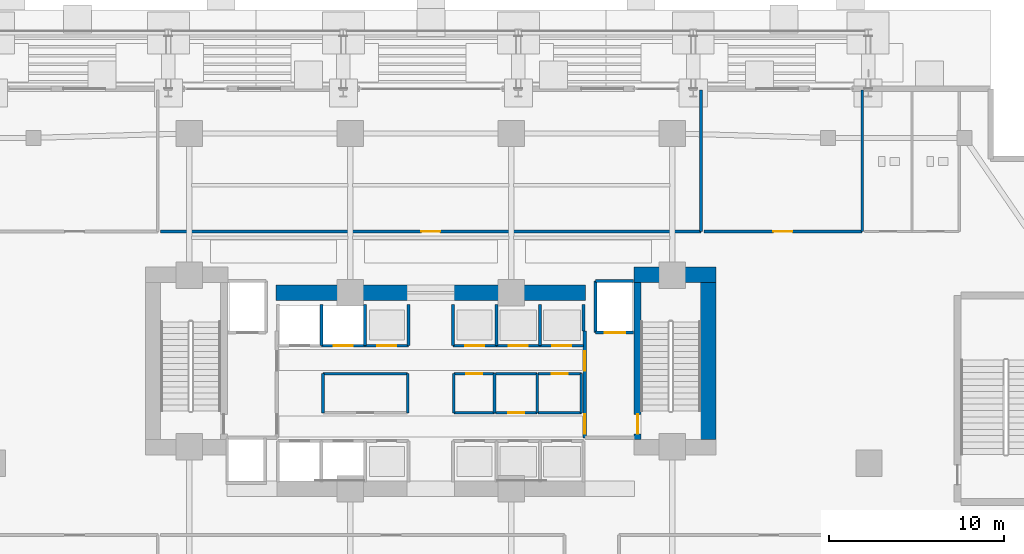
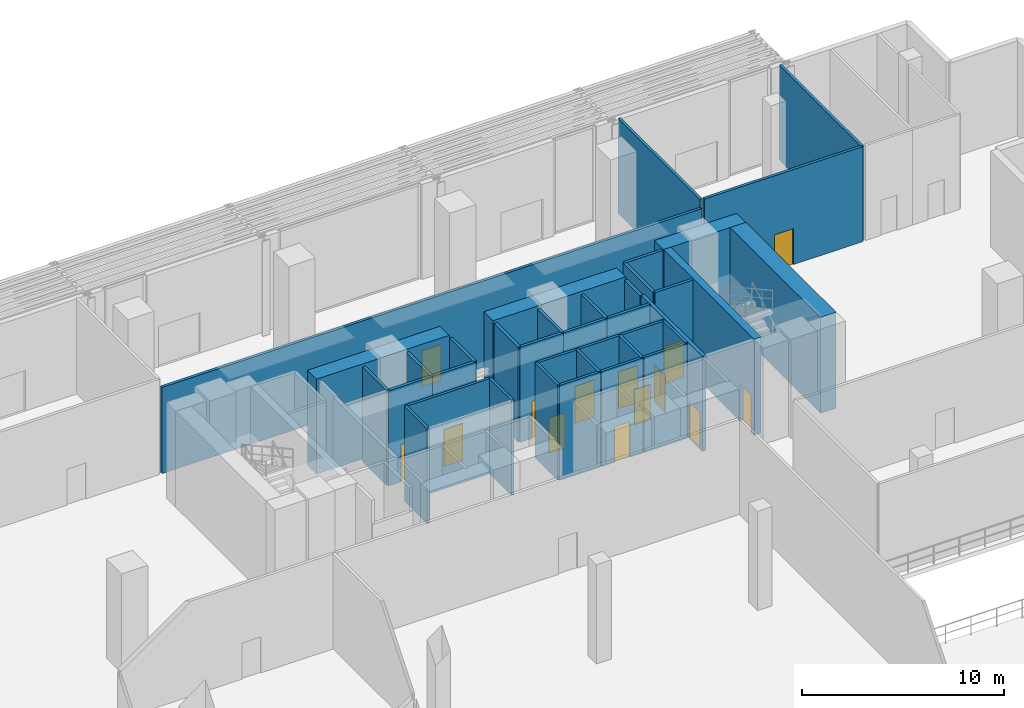
# One storey, part 30 of 39: 38 walls, 14 doors, 14 openings.
"""IFC4 building model written with IfcOpenShell, lengths in metres."""

from ifc_helpers import new_model, si_unit, direction, frame, frame_2d, origin, place, context, subcontext, project, spatial, rectangle, extrude, material, layer, layer_set, type_object, element, fill, save


model = new_model("IFC4")

# Units and contexts
model_context = context("Model", 3, precision=1e-05, world=origin(), true_north=direction((0.0, 1.0)))
body_context = subcontext(model_context, "Body", "Model", "MODEL_VIEW")
ifc_project = project(units=[si_unit("LENGTHUNIT", "METRE"), si_unit("AREAUNIT", "SQUARE_METRE"), si_unit("VOLUMEUNIT", "CUBIC_METRE"), si_unit("PLANEANGLEUNIT", "RADIAN"), si_unit("MASSUNIT", "GRAM", prefix="KILO")], contexts=[model_context])

# Site, building, storey
site_placement = place(None, origin())
site = spatial("IfcSite", under=ifc_project, at=site_placement, CompositionType="ELEMENT")
building_placement = place(site_placement, origin())
building = spatial("IfcBuilding", under=site, at=building_placement, Name="Zuhayl Quay Hotel", CompositionType="ELEMENT")
storey_placement = place(building_placement, origin())
storey = spatial("IfcBuildingStorey", under=building, at=storey_placement, Name="L00", CompositionType="ELEMENT", Elevation=0.0)

# Walls
ifc_material_1 = material(Name="Concrete C70/85", Category="concrete")
ifc_layer_1 = layer(ifc_material_1, 0.89990234375, Name="Concrete C70/85", Category="concrete")
ifc_layer_set_1 = layer_set([ifc_layer_1], Name="Concrete C70/85")
wall_type_1 = type_object("IfcWallType", Name="WL_CORE_900", PredefinedType="SHEAR", material=ifc_layer_set_1)
wall_1_placement = place(storey_placement, frame((11.60009765625, 14.3798828125, 0.0), z_axis=(0.0, 0.0, 1.0), x_axis=(1.0, 0.0, 0.0)))
element("IfcWall", 1, at=wall_1_placement, inside=storey, type_object=wall_type_1, Name="L00 Core Shear Wall CW_NE", PredefinedType="SHEAR", context=body_context, shape_type="SweptSolid", body=[
    extrude(rectangle(XDim=4.7099609375, YDim=0.89990234375, at=frame_2d((2.35498046875, 0.0))), origin(), (0.0, 0.0, 1.0), 5.81005859375),
])
wall_2_placement = place(storey_placement, frame((15.860107421875, 4.969970703125, 0.0), z_axis=(0.0, 0.0, 1.0), x_axis=(0.0, 1.0, 0.0)))
element("IfcWall", 2, at=wall_2_placement, inside=storey, type_object=wall_type_1, Name="L00 Core Shear Wall CW_E", PredefinedType="SHEAR", context=body_context, shape_type="SweptSolid", body=[
    extrude(rectangle(XDim=8.9599609375, YDim=0.89990234375, at=frame_2d((4.47998046875, 0.0))), origin(), (0.0, 0.0, 1.0), 5.81005859375),
])
for number, where, z_axis, x_axis, name in (
    (3, (-8.85009765625, 13.35009765625, 0.0), (0.0, 0.0, 1.0), (1.0, 0.0, 0.0), "L00 Core Shear Wall CW_NC_W"),
    (4, (1.25, 13.35009765625, 0.0), (0.0, 0.0, 1.0), (1.0, 0.0, 0.0), "L00 Core Shear Wall CW_NC_E"),
):
    element("IfcWall", number, at=place(storey_placement, frame(where, z_axis=z_axis, x_axis=x_axis)), inside=storey, type_object=wall_type_1, Name=name, PredefinedType="SHEAR", context=body_context, shape_type="SweptSolid", body=[
        extrude(rectangle(XDim=7.60009765625, YDim=0.89990234375, at=frame_2d((3.800048828125, 0.0))), origin(), (0.0, 0.0, 1.0), 5.75),
    ])

# Wall, opening, door
ifc_material_2 = material(Name="Acoustic Gypsum Partition STC-58")
ifc_layer_2 = layer(ifc_material_2, 0.14990234375, Name="Acoustic Gypsum Partition STC-58")
ifc_layer_set_2 = layer_set([ifc_layer_2], Name="Acoustic Gypsum Partition STC-58")
wall_type_2 = type_object("IfcWallType", Name="WL_PART_150", PredefinedType="PARTITIONING", material=ifc_layer_set_2)
wall_3_placement = place(storey_placement, frame((1.320068359375, 8.719970703125, 0.0), z_axis=(0.0, 0.0, 1.0), x_axis=(1.0, 0.0, 0.0)))
wall_3 = element("IfcWall", 5, at=wall_3_placement, inside=storey, type_object=wall_type_2, Name="L00 Partition IW_L00_CORE_E1_N", PredefinedType="PARTITIONING", context=body_context, shape_type="SweptSolid", body=[
    extrude(rectangle(XDim=2.31982421875, YDim=0.14990234375, at=frame_2d((1.159912109375, 0.0))), origin(), (0.0, 0.0, 1.0), 5.75),
])
opening_1_placement = place(wall_3_placement, frame((0.7099609375, 0.0, 0.0)))
opening_1 = element("IfcOpeningElement", 6, at=opening_1_placement, cuts=wall_3, Name="Opening D06", PredefinedType="OPENING", context=body_context, shape_type="SweptSolid", body=[
    extrude(rectangle(XDim=0.89990234375, YDim=2.14990234375, at=frame_2d((0.449951171875, 1.074951171875))), frame((0.0, 0.0849609375, 0.0), z_axis=(0.0, -1.0, 0.0), x_axis=(1.0, 0.0, 0.0)), (0.0, 0.0, 1.0), 0.169921875),
])
ifc_material_3 = material(Name="Steel ASTM A992 Grade 50", Category="steel")
door_type_1 = type_object("IfcDoorType", Name="DR_INT_900", OperationType="NOTDEFINED", PredefinedType="DOOR", material=ifc_material_3)
door_1_placement = place(opening_1_placement, origin())
door_1 = element("IfcDoor", 7, at=door_1_placement, inside=storey, type_object=door_type_1, Name="L00 Floor Electrical Closet Door", OperationType="SINGLE_SWING_LEFT", OverallHeight=2.14990234375, OverallWidth=0.89990234375, PredefinedType="DOOR", context=body_context, shape_type="SweptSolid", body=[
    extrude(rectangle(XDim=0.89990234375, YDim=2.14990234375, at=frame_2d((0.449951171875, 1.074951171875))), frame((0.0, 0.02490234375, 0.0), z_axis=(0.0, -1.0, 0.0), x_axis=(1.0, 0.0, 0.0)), (0.0, 0.0, 1.0), 0.050048828125),
])
fill(opening_1, door_1)

wall_4_placement = place(storey_placement, frame((3.699951171875, 6.47998046875, 0.0), z_axis=(0.0, 0.0, 1.0), x_axis=(1.0, 0.0, 0.0)))
wall_4 = element("IfcWall", 8, at=wall_4_placement, inside=storey, type_object=wall_type_2, Name="L00 Partition IW_L00_CORE_E2_S", PredefinedType="PARTITIONING", context=body_context, shape_type="SweptSolid", body=[
    extrude(rectangle(XDim=2.380126953125, YDim=0.14990234375, at=frame_2d((1.18994140625, 0.0))), origin(), (0.0, 0.0, 1.0), 5.75),
])
opening_2_placement = place(wall_4_placement, frame((0.739990234375, 0.0, 0.0)))
opening_2 = element("IfcOpeningElement", 9, at=opening_2_placement, cuts=wall_4, Name="Opening D06", PredefinedType="OPENING", context=body_context, shape_type="SweptSolid", body=[
    extrude(rectangle(XDim=0.89990234375, YDim=2.14990234375, at=frame_2d((0.449951171875, 1.074951171875))), frame((0.0, 0.0849609375, 0.0), z_axis=(0.0, -1.0, 0.0), x_axis=(1.0, 0.0, 0.0)), (0.0, 0.0, 1.0), 0.169921875),
])
door_2_placement = place(opening_2_placement, origin())
door_2 = element("IfcDoor", 10, at=door_2_placement, inside=storey, type_object=door_type_1, Name="L00 Data Closet Door", OperationType="SINGLE_SWING_RIGHT", OverallHeight=2.14990234375, OverallWidth=0.89990234375, PredefinedType="DOOR", context=body_context, shape_type="SweptSolid", body=[
    extrude(rectangle(XDim=0.89990234375, YDim=2.14990234375, at=frame_2d((0.449951171875, 1.074951171875))), frame((0.0, 0.02490234375, 0.0), z_axis=(0.0, -1.0, 0.0), x_axis=(1.0, 0.0, 0.0)), (0.0, 0.0, 1.0), 0.050048828125),
])
fill(opening_2, door_2)

wall_5_placement = place(storey_placement, frame((6.139892578125, 8.719970703125, 0.0), z_axis=(0.0, 0.0, 1.0), x_axis=(1.0, 0.0, 0.0)))
wall_5 = element("IfcWall", 11, at=wall_5_placement, inside=storey, type_object=wall_type_2, Name="L00 Partition IW_L00_CORE_E3_N", PredefinedType="PARTITIONING", context=body_context, shape_type="SweptSolid", body=[
    extrude(rectangle(XDim=2.47021484375, YDim=0.14990234375, at=frame_2d((1.235107421875, 0.0))), origin(), (0.0, 0.0, 1.0), 5.75),
])
opening_3_placement = place(wall_5_placement, frame((0.784912109375, 0.0, 0.0)))
opening_3 = element("IfcOpeningElement", 12, at=opening_3_placement, cuts=wall_5, Name="Opening D06", PredefinedType="OPENING", context=body_context, shape_type="SweptSolid", body=[
    extrude(rectangle(XDim=0.89990234375, YDim=2.14990234375, at=frame_2d((0.449951171875, 1.074951171875))), frame((0.0, 0.0849609375, 0.0), z_axis=(0.0, -1.0, 0.0), x_axis=(1.0, 0.0, 0.0)), (0.0, 0.0, 1.0), 0.169921875),
])
door_3_placement = place(opening_3_placement, origin())
door_3 = element("IfcDoor", 13, at=door_3_placement, inside=storey, type_object=door_type_1, Name="L00 Janitor and Cleaners Store Door", OperationType="SINGLE_SWING_LEFT", OverallHeight=2.14990234375, OverallWidth=0.89990234375, PredefinedType="DOOR", context=body_context, shape_type="SweptSolid", body=[
    extrude(rectangle(XDim=0.89990234375, YDim=2.14990234375, at=frame_2d((0.449951171875, 1.074951171875))), frame((0.0, 0.02490234375, 0.0), z_axis=(0.0, -1.0, 0.0), x_axis=(1.0, 0.0, 0.0)), (0.0, 0.0, 1.0), 0.050048828125),
])
fill(opening_3, door_3)

# Walls
wall_6_placement = place(storey_placement, frame((-6.159912109375, 8.719970703125, 0.0), z_axis=(0.0, 0.0, 1.0), x_axis=(1.0, 0.0, 0.0)))
element("IfcWall", 14, at=wall_6_placement, inside=storey, type_object=wall_type_2, Name="L00 Partition IW_L00_CORE_SV_N", PredefinedType="PARTITIONING", context=body_context, shape_type="SweptSolid", body=[
    extrude(rectangle(XDim=4.83984375, YDim=0.14990234375, at=frame_2d((2.419921875, 0.0))), origin(), (0.0, 0.0, 1.0), 5.75),
])
for number, where, z_axis, x_axis, name in (
    (15, (-6.159912109375, 6.47998046875, 0.0), (0.0, 0.0, 1.0), (0.0, 1.0, 0.0), "L00 Partition IW_L00_CORE_SV_W"),
    (16, (-1.320068359375, 6.47998046875, 0.0), (0.0, 0.0, 1.0), (0.0, 1.0, 0.0), "L00 Partition IW_L00_CORE_SV_E"),
):
    element("IfcWall", number, at=place(storey_placement, frame(where, z_axis=z_axis, x_axis=x_axis)), inside=storey, type_object=wall_type_2, Name=name, PredefinedType="PARTITIONING", context=body_context, shape_type="SweptSolid", body=[
        extrude(rectangle(XDim=2.239990234375, YDim=0.14990234375, at=frame_2d((1.1201171875, 0.0))), origin(), (0.0, 0.0, 1.0), 5.75),
    ])
wall_7_placement = place(storey_placement, frame((1.320068359375, 6.47998046875, 0.0), z_axis=(0.0, 0.0, 1.0), x_axis=(1.0, 0.0, 0.0)))
element("IfcWall", 17, at=wall_7_placement, inside=storey, type_object=wall_type_2, Name="L00 Partition IW_L00_CORE_E1_S", PredefinedType="PARTITIONING", context=body_context, shape_type="SweptSolid", body=[
    extrude(rectangle(XDim=2.31982421875, YDim=0.14990234375, at=frame_2d((1.159912109375, 0.0))), origin(), (0.0, 0.0, 1.0), 5.75),
])
for number, where, z_axis, x_axis, name in (
    (18, (1.320068359375, 6.47998046875, 0.0), (0.0, 0.0, 1.0), (0.0, 1.0, 0.0), "L00 Partition IW_L00_CORE_E1_W"),
    (19, (3.639892578125, 6.47998046875, 0.0), (0.0, 0.0, 1.0), (0.0, 1.0, 0.0), "L00 Partition IW_L00_CORE_E1_E"),
):
    element("IfcWall", number, at=place(storey_placement, frame(where, z_axis=z_axis, x_axis=x_axis)), inside=storey, type_object=wall_type_2, Name=name, PredefinedType="PARTITIONING", context=body_context, shape_type="SweptSolid", body=[
        extrude(rectangle(XDim=2.239990234375, YDim=0.14990234375, at=frame_2d((1.1201171875, 0.0))), origin(), (0.0, 0.0, 1.0), 5.75),
    ])
wall_8_placement = place(storey_placement, frame((3.699951171875, 8.719970703125, 0.0), z_axis=(0.0, 0.0, 1.0), x_axis=(1.0, 0.0, 0.0)))
element("IfcWall", 20, at=wall_8_placement, inside=storey, type_object=wall_type_2, Name="L00 Partition IW_L00_CORE_E2_N", PredefinedType="PARTITIONING", context=body_context, shape_type="SweptSolid", body=[
    extrude(rectangle(XDim=2.380126953125, YDim=0.14990234375, at=frame_2d((1.18994140625, 0.0))), origin(), (0.0, 0.0, 1.0), 5.75),
])
wall_9_placement = place(storey_placement, frame((6.080078125, 6.47998046875, 0.0), z_axis=(0.0, 0.0, 1.0), x_axis=(0.0, 1.0, 0.0)))
element("IfcWall", 21, at=wall_9_placement, inside=storey, type_object=wall_type_2, Name="L00 Partition IW_L00_CORE_E2_E", PredefinedType="PARTITIONING", context=body_context, shape_type="SweptSolid", body=[
    extrude(rectangle(XDim=2.239990234375, YDim=0.14990234375, at=frame_2d((1.1201171875, 0.0))), origin(), (0.0, 0.0, 1.0), 5.75),
])
wall_10_placement = place(storey_placement, frame((6.139892578125, 6.47998046875, 0.0), z_axis=(0.0, 0.0, 1.0), x_axis=(1.0, 0.0, 0.0)))
element("IfcWall", 22, at=wall_10_placement, inside=storey, type_object=wall_type_2, Name="L00 Partition IW_L00_CORE_E3_S", PredefinedType="PARTITIONING", context=body_context, shape_type="SweptSolid", body=[
    extrude(rectangle(XDim=2.47021484375, YDim=0.14990234375, at=frame_2d((1.235107421875, 0.0))), origin(), (0.0, 0.0, 1.0), 5.75),
])
wall_11_placement = place(storey_placement, frame((8.610107421875, 6.47998046875, 0.0), z_axis=(0.0, 0.0, 1.0), x_axis=(0.0, 1.0, 0.0)))
element("IfcWall", 23, at=wall_11_placement, inside=storey, type_object=wall_type_2, Name="L00 Partition IW_L00_CORE_E3_E", PredefinedType="PARTITIONING", context=body_context, shape_type="SweptSolid", body=[
    extrude(rectangle(XDim=2.239990234375, YDim=0.14990234375, at=frame_2d((1.1201171875, 0.0))), origin(), (0.0, 0.0, 1.0), 5.75),
])
for number, where, z_axis, x_axis, name in (
    (24, (15.43994140625, 16.85009765625, 0.0), (0.0, 0.0, 1.0), (0.0, 1.0, 0.0), "L00 Partition IW_L00_LOBBY_MAIN_E"),
    (25, (24.64990234375, 16.85009765625, 0.0), (0.0, 0.0, 1.0), (0.0, 1.0, 0.0), "L00 Partition IW_L00_RETAIL_E_E"),
):
    element("IfcWall", number, at=place(storey_placement, frame(where, z_axis=z_axis, x_axis=x_axis)), inside=storey, type_object=wall_type_2, Name=name, PredefinedType="PARTITIONING", context=body_context, shape_type="SweptSolid", body=[
        extrude(rectangle(XDim=8.08984375, YDim=0.14990234375, at=frame_2d((4.044921875, 0.0))), origin(), (0.0, 0.0, 1.0), 5.75),
    ])

# Wall, opening, door
ifc_layer_3 = layer(ifc_material_2, 0.159912109375, Name="Acoustic Gypsum Partition STC-58")
ifc_layer_set_3 = layer_set([ifc_layer_3], Name="Acoustic Gypsum Partition STC-58")
wall_type_3 = type_object("IfcWallType", Name="WL_PART_CORR_160", PredefinedType="PARTITIONING", material=ifc_layer_set_3)
wall_12_placement = place(storey_placement, frame((-15.43994140625, 16.85009765625, 0.0), z_axis=(0.0, 0.0, 1.0), x_axis=(1.0, 0.0, 0.0)))
wall_12 = element("IfcWall", 26, at=wall_12_placement, inside=storey, type_object=wall_type_3, Name="L00 Partition IW_L00_LOBBY_MAIN_S", PredefinedType="PARTITIONING", context=body_context, shape_type="SweptSolid", body=[
    extrude(rectangle(XDim=30.8798828125, YDim=0.159912109375, at=frame_2d((15.43994140625, 0.0))), origin(), (0.0, 0.0, 1.0), 5.217041015625),
])
opening_4_placement = place(wall_12_placement, frame((14.89990234375, 0.0, 0.0)))
opening_4 = element("IfcOpeningElement", 27, at=opening_4_placement, cuts=wall_12, Name="Opening D05A", PredefinedType="OPENING", context=body_context, shape_type="SweptSolid", body=[
    extrude(rectangle(XDim=1.080078125, YDim=2.179931640625, at=frame_2d((0.5400390625, 1.08984375))), frame((0.0, 0.08984375, 0.0), z_axis=(0.0, -1.0, 0.0), x_axis=(1.0, 0.0, 0.0)), (0.0, 0.0, 1.0), 0.179931640625),
])
ifc_material_4 = material(Name="Solid Walnut Acoustic Fire Door")
door_type_2 = type_object("IfcDoorType", Name="DR_INT_1100", OperationType="NOTDEFINED", PredefinedType="DOOR", material=ifc_material_4)
door_4_placement = place(opening_4_placement, origin())
door_4 = element("IfcDoor", 28, at=door_4_placement, inside=storey, type_object=door_type_2, Name="L00 Grand Lobby and Arrival Concourse Door", OperationType="SINGLE_SWING_LEFT", OverallHeight=2.179931640625, OverallWidth=1.080078125, PredefinedType="DOOR", context=body_context, shape_type="SweptSolid", body=[
    extrude(rectangle(XDim=1.080078125, YDim=2.179931640625, at=frame_2d((0.5400390625, 1.08984375))), frame((0.0, 0.02490234375, 0.0), z_axis=(0.0, -1.0, 0.0), x_axis=(1.0, 0.0, 0.0)), (0.0, 0.0, 1.0), 0.050048828125),
])
fill(opening_4, door_4)

wall_13_placement = place(storey_placement, frame((15.60009765625, 16.85009765625, 0.0), z_axis=(0.0, 0.0, 1.0), x_axis=(1.0, 0.0, 0.0)))
wall_13 = element("IfcWall", 29, at=wall_13_placement, inside=storey, type_object=wall_type_3, Name="L00 Partition IW_L00_RETAIL_E_S", PredefinedType="PARTITIONING", context=body_context, shape_type="SweptSolid", body=[
    extrude(rectangle(XDim=9.0498046875, YDim=0.159912109375, at=frame_2d((4.52490234375, 0.0))), origin(), (0.0, 0.0, 1.0), 5.75),
])
opening_5_placement = place(wall_13_placement, frame((3.985107421875, 0.0, 0.0)))
opening_5 = element("IfcOpeningElement", 30, at=opening_5_placement, cuts=wall_13, Name="Opening D05A", PredefinedType="OPENING", context=body_context, shape_type="SweptSolid", body=[
    extrude(rectangle(XDim=1.080078125, YDim=2.179931640625, at=frame_2d((0.5400390625, 1.08984375))), frame((0.0, 0.08984375, 0.0), z_axis=(0.0, -1.0, 0.0), x_axis=(1.0, 0.0, 0.0)), (0.0, 0.0, 1.0), 0.179931640625),
])
door_5_placement = place(opening_5_placement, origin())
door_5 = element("IfcDoor", 31, at=door_5_placement, inside=storey, type_object=door_type_2, Name="L00 Maritime Boutique Salon Door", OperationType="SINGLE_SWING_RIGHT", OverallHeight=2.179931640625, OverallWidth=1.080078125, PredefinedType="DOOR", context=body_context, shape_type="SweptSolid", body=[
    extrude(rectangle(XDim=1.080078125, YDim=2.179931640625, at=frame_2d((0.5400390625, 1.08984375))), frame((0.0, 0.02490234375, 0.0), z_axis=(0.0, -1.0, 0.0), x_axis=(1.0, 0.0, 0.0)), (0.0, 0.0, 1.0), 0.050048828125),
])
fill(opening_5, door_5)

ifc_material_5 = material(Name="Gypsum Fireboard Assembly EI-90")
ifc_layer_4 = layer(ifc_material_5, 0.1650390625, Name="Gypsum Fireboard Assembly EI-90")
ifc_layer_set_4 = layer_set([ifc_layer_4], Name="Gypsum Fireboard Assembly EI-90")
wall_type_4 = type_object("IfcWallType", Name="WL_PART_SHAFT_160", PredefinedType="PARTITIONING", material=ifc_layer_set_4)
wall_14_placement = place(storey_placement, frame((9.419921875, 11.070068359375, 0.0), z_axis=(0.0, 0.0, 1.0), x_axis=(1.0, 0.0, 0.0)))
wall_14 = element("IfcWall", 32, at=wall_14_placement, inside=storey, type_object=wall_type_4, Name="L00 Partition IW_L00_SH_FL2_F", PredefinedType="PARTITIONING", context=body_context, shape_type="SweptSolid", body=[
    extrude(rectangle(XDim=2.16015625, YDim=0.1650390625, at=frame_2d((1.080078125, 0.0))), origin(), (0.0, 0.0, 1.0), 5.75),
])
opening_6_placement = place(wall_14_placement, frame((0.530029296875, 0.0, 0.0)))
opening_6 = element("IfcOpeningElement", 33, at=opening_6_placement, cuts=wall_14, Name="Opening LD2", PredefinedType="OPENING", context=body_context, shape_type="SweptSolid", body=[
    extrude(rectangle(XDim=1.14990234375, YDim=2.25, at=frame_2d((0.574951171875, 1.125))), frame((0.0, 0.092529296875, 0.0), z_axis=(0.0, -1.0, 0.0), x_axis=(1.0, 0.0, 0.0)), (0.0, 0.0, 1.0), 0.18505859375),
])
ifc_material_6 = material(Name="Brushed Stainless Steel", Category="steel")
door_type_3 = type_object("IfcDoorType", Name="DR_LIFT_FF_1100", OperationType="SLIDING_TO_LEFT", PredefinedType="DOOR", material=ifc_material_6)
door_6_placement = place(opening_6_placement, origin())
door_6 = element("IfcDoor", 34, at=door_6_placement, inside=storey, type_object=door_type_3, Name="L00 Lift FL2 Sliding Landing Door", OperationType="SLIDING_TO_LEFT", OverallHeight=2.25, OverallWidth=1.14990234375, PredefinedType="DOOR", context=body_context, shape_type="SweptSolid", body=[
    extrude(rectangle(XDim=1.14990234375, YDim=2.25, at=frame_2d((0.574951171875, 1.125))), frame((0.0, 0.02490234375, 0.0), z_axis=(0.0, -1.0, 0.0), x_axis=(1.0, 0.0, 0.0)), (0.0, 0.0, 1.0), 0.050048828125),
])
fill(opening_6, door_6)

wall_15_placement = place(storey_placement, frame((-6.25, 10.320068359375, 0.0), z_axis=(0.0, 0.0, 1.0), x_axis=(1.0, 0.0, 0.0)))
wall_15 = element("IfcWall", 35, at=wall_15_placement, inside=storey, type_object=wall_type_4, Name="L00 Partition IW_L00_SH_LP4_F", PredefinedType="PARTITIONING", context=body_context, shape_type="SweptSolid", body=[
    extrude(rectangle(XDim=2.5, YDim=0.1650390625, at=frame_2d((1.25, 0.0))), origin(), (0.0, 0.0, 1.0), 5.75),
])
opening_7_placement = place(wall_15_placement, frame((0.699951171875, 0.0, 0.0)))
opening_7 = element("IfcOpeningElement", 36, at=opening_7_placement, cuts=wall_15, Name="Opening LD1", PredefinedType="OPENING", context=body_context, shape_type="SweptSolid", body=[
    extrude(rectangle(XDim=1.10009765625, YDim=2.25, at=frame_2d((0.550048828125, 1.125))), frame((0.0, 0.092529296875, 0.0), z_axis=(0.0, -1.0, 0.0), x_axis=(1.0, 0.0, 0.0)), (0.0, 0.0, 1.0), 0.18505859375),
])
door_type_4 = type_object("IfcDoorType", Name="DR_LIFT_PASS_1100", OperationType="SLIDING_TO_LEFT", PredefinedType="DOOR", material=ifc_material_6)
door_7_placement = place(opening_7_placement, origin())
door_7 = element("IfcDoor", 37, at=door_7_placement, inside=storey, type_object=door_type_4, Name="L00 Lift LP4 Sliding Landing Door", OperationType="SLIDING_TO_LEFT", OverallHeight=2.25, OverallWidth=1.10009765625, PredefinedType="DOOR", context=body_context, shape_type="SweptSolid", body=[
    extrude(rectangle(XDim=1.10009765625, YDim=2.25, at=frame_2d((0.550048828125, 1.125))), frame((0.0, 0.02490234375, 0.0), z_axis=(0.0, -1.0, 0.0), x_axis=(1.0, 0.0, 0.0)), (0.0, 0.0, 1.0), 0.050048828125),
])
fill(opening_7, door_7)

wall_16_placement = place(storey_placement, frame((-3.75, 10.320068359375, 0.0), z_axis=(0.0, 0.0, 1.0), x_axis=(1.0, 0.0, 0.0)))
wall_16 = element("IfcWall", 38, at=wall_16_placement, inside=storey, type_object=wall_type_4, Name="L00 Partition IW_L00_SH_MP3_F", PredefinedType="PARTITIONING", context=body_context, shape_type="SweptSolid", body=[
    extrude(rectangle(XDim=2.47998046875, YDim=0.1650390625, at=frame_2d((1.239990234375, 0.0))), origin(), (0.0, 0.0, 1.0), 5.75),
])
opening_8_placement = place(wall_16_placement, frame((0.68994140625, 0.0, 0.0)))
opening_8 = element("IfcOpeningElement", 39, at=opening_8_placement, cuts=wall_16, Name="Opening LD1", PredefinedType="OPENING", context=body_context, shape_type="SweptSolid", body=[
    extrude(rectangle(XDim=1.10009765625, YDim=2.25, at=frame_2d((0.550048828125, 1.125))), frame((0.0, 0.092529296875, 0.0), z_axis=(0.0, -1.0, 0.0), x_axis=(1.0, 0.0, 0.0)), (0.0, 0.0, 1.0), 0.18505859375),
])
door_8_placement = place(opening_8_placement, origin())
door_8 = element("IfcDoor", 40, at=door_8_placement, inside=storey, type_object=door_type_4, Name="L00 Lift MP3 Sliding Landing Door", OperationType="SLIDING_TO_LEFT", OverallHeight=2.25, OverallWidth=1.10009765625, PredefinedType="DOOR", context=body_context, shape_type="SweptSolid", body=[
    extrude(rectangle(XDim=1.10009765625, YDim=2.25, at=frame_2d((0.550048828125, 1.125))), frame((0.0, 0.02490234375, 0.0), z_axis=(0.0, -1.0, 0.0), x_axis=(1.0, 0.0, 0.0)), (0.0, 0.0, 1.0), 0.050048828125),
])
fill(opening_8, door_8)

wall_17_placement = place(storey_placement, frame((1.27001953125, 10.320068359375, 0.0), z_axis=(0.0, 0.0, 1.0), x_axis=(1.0, 0.0, 0.0)))
wall_17 = element("IfcWall", 41, at=wall_17_placement, inside=storey, type_object=wall_type_4, Name="L00 Partition IW_L00_SH_MP4_F", PredefinedType="PARTITIONING", context=body_context, shape_type="SweptSolid", body=[
    extrude(rectangle(XDim=2.47998046875, YDim=0.1650390625, at=frame_2d((1.239990234375, 0.0))), origin(), (0.0, 0.0, 1.0), 5.75),
])
opening_9_placement = place(wall_17_placement, frame((0.68994140625, 0.0, 0.0)))
opening_9 = element("IfcOpeningElement", 42, at=opening_9_placement, cuts=wall_17, Name="Opening LD1", PredefinedType="OPENING", context=body_context, shape_type="SweptSolid", body=[
    extrude(rectangle(XDim=1.10009765625, YDim=2.25, at=frame_2d((0.550048828125, 1.125))), frame((0.0, 0.092529296875, 0.0), z_axis=(0.0, -1.0, 0.0), x_axis=(1.0, 0.0, 0.0)), (0.0, 0.0, 1.0), 0.18505859375),
])
door_9_placement = place(opening_9_placement, origin())
door_9 = element("IfcDoor", 43, at=door_9_placement, inside=storey, type_object=door_type_4, Name="L00 Lift MP4 Sliding Landing Door", OperationType="SLIDING_TO_LEFT", OverallHeight=2.25, OverallWidth=1.10009765625, PredefinedType="DOOR", context=body_context, shape_type="SweptSolid", body=[
    extrude(rectangle(XDim=1.10009765625, YDim=2.25, at=frame_2d((0.550048828125, 1.125))), frame((0.0, 0.02490234375, 0.0), z_axis=(0.0, -1.0, 0.0), x_axis=(1.0, 0.0, 0.0)), (0.0, 0.0, 1.0), 0.050048828125),
])
fill(opening_9, door_9)

wall_18_placement = place(storey_placement, frame((3.75, 10.320068359375, 0.0), z_axis=(0.0, 0.0, 1.0), x_axis=(1.0, 0.0, 0.0)))
wall_18 = element("IfcWall", 44, at=wall_18_placement, inside=storey, type_object=wall_type_4, Name="L00 Partition IW_L00_SH_HP3_F", PredefinedType="PARTITIONING", context=body_context, shape_type="SweptSolid", body=[
    extrude(rectangle(XDim=2.5, YDim=0.1650390625, at=frame_2d((1.25, 0.0))), origin(), (0.0, 0.0, 1.0), 5.75),
])
opening_10_placement = place(wall_18_placement, frame((0.699951171875, 0.0, 0.0)))
opening_10 = element("IfcOpeningElement", 45, at=opening_10_placement, cuts=wall_18, Name="Opening LD1", PredefinedType="OPENING", context=body_context, shape_type="SweptSolid", body=[
    extrude(rectangle(XDim=1.10009765625, YDim=2.25, at=frame_2d((0.550048828125, 1.125))), frame((0.0, 0.092529296875, 0.0), z_axis=(0.0, -1.0, 0.0), x_axis=(1.0, 0.0, 0.0)), (0.0, 0.0, 1.0), 0.18505859375),
])
door_10_placement = place(opening_10_placement, origin())
door_10 = element("IfcDoor", 46, at=door_10_placement, inside=storey, type_object=door_type_4, Name="L00 Lift HP3 Sliding Landing Door", OperationType="SLIDING_TO_LEFT", OverallHeight=2.25, OverallWidth=1.10009765625, PredefinedType="DOOR", context=body_context, shape_type="SweptSolid", body=[
    extrude(rectangle(XDim=1.10009765625, YDim=2.25, at=frame_2d((0.550048828125, 1.125))), frame((0.0, 0.02490234375, 0.0), z_axis=(0.0, -1.0, 0.0), x_axis=(1.0, 0.0, 0.0)), (0.0, 0.0, 1.0), 0.050048828125),
])
fill(opening_10, door_10)

wall_19_placement = place(storey_placement, frame((6.25, 10.320068359375, 0.0), z_axis=(0.0, 0.0, 1.0), x_axis=(1.0, 0.0, 0.0)))
wall_19 = element("IfcWall", 47, at=wall_19_placement, inside=storey, type_object=wall_type_4, Name="L00 Partition IW_L00_SH_HP4_F", PredefinedType="PARTITIONING", context=body_context, shape_type="SweptSolid", body=[
    extrude(rectangle(XDim=2.47998046875, YDim=0.1650390625, at=frame_2d((1.239990234375, 0.0))), origin(), (0.0, 0.0, 1.0), 5.75),
])
opening_11_placement = place(wall_19_placement, frame((0.68994140625, 0.0, 0.0)))
opening_11 = element("IfcOpeningElement", 48, at=opening_11_placement, cuts=wall_19, Name="Opening LD1", PredefinedType="OPENING", context=body_context, shape_type="SweptSolid", body=[
    extrude(rectangle(XDim=1.10009765625, YDim=2.25, at=frame_2d((0.550048828125, 1.125))), frame((0.0, 0.092529296875, 0.0), z_axis=(0.0, -1.0, 0.0), x_axis=(1.0, 0.0, 0.0)), (0.0, 0.0, 1.0), 0.18505859375),
])
door_11_placement = place(opening_11_placement, origin())
door_11 = element("IfcDoor", 49, at=door_11_placement, inside=storey, type_object=door_type_4, Name="L00 Lift HP4 Sliding Landing Door", OperationType="SLIDING_TO_LEFT", OverallHeight=2.25, OverallWidth=1.10009765625, PredefinedType="DOOR", context=body_context, shape_type="SweptSolid", body=[
    extrude(rectangle(XDim=1.10009765625, YDim=2.25, at=frame_2d((0.550048828125, 1.125))), frame((0.0, 0.02490234375, 0.0), z_axis=(0.0, -1.0, 0.0), x_axis=(1.0, 0.0, 0.0)), (0.0, 0.0, 1.0), 0.050048828125),
])
fill(opening_11, door_11)

# Walls
wall_20_placement = place(storey_placement, frame((9.419921875, 11.070068359375, 0.0), z_axis=(0.0, 0.0, 1.0), x_axis=(0.0, 1.0, 0.0)))
element("IfcWall", 50, at=wall_20_placement, inside=storey, type_object=wall_type_4, Name="L00 Partition IW_L00_SH_FL2_W", PredefinedType="PARTITIONING", context=body_context, shape_type="SweptSolid", body=[
    extrude(rectangle(XDim=2.9599609375, YDim=0.1650390625, at=frame_2d((1.47998046875, 0.0))), origin(), (0.0, 0.0, 1.0), 5.75),
])
wall_21_placement = place(storey_placement, frame((9.419921875, 14.030029296875, 0.0), z_axis=(0.0, 0.0, 1.0), x_axis=(1.0, 0.0, 0.0)))
element("IfcWall", 51, at=wall_21_placement, inside=storey, type_object=wall_type_4, Name="L00 Partition IW_L00_SH_FL2_B", PredefinedType="PARTITIONING", context=body_context, shape_type="SweptSolid", body=[
    extrude(rectangle(XDim=2.16015625, YDim=0.1650390625, at=frame_2d((1.080078125, 0.0))), origin(), (0.0, 0.0, 1.0), 5.75),
])
for number, where, z_axis, x_axis, name in (
    (52, (-6.25, 10.320068359375, 0.0), (0.0, 0.0, 1.0), (0.0, 1.0, 0.0), "L00 Partition IW_L00_SH_LP3_E"),
    (53, (-3.75, 10.320068359375, 0.0), (0.0, 0.0, 1.0), (0.0, 1.0, 0.0), "L00 Partition IW_L00_SH_LP4_E"),
    (54, (-1.27001953125, 10.320068359375, 0.0), (0.0, 0.0, 1.0), (0.0, 1.0, 0.0), "L00 Partition IW_L00_SH_MP3_E"),
    (55, (1.27001953125, 10.320068359375, 0.0), (0.0, 0.0, 1.0), (0.0, 1.0, 0.0), "L00 Partition IW_L00_SH_MP4_W"),
    (56, (3.75, 10.320068359375, 0.0), (0.0, 0.0, 1.0), (0.0, 1.0, 0.0), "L00 Partition IW_L00_SH_MP4_E"),
    (57, (6.25, 10.320068359375, 0.0), (0.0, 0.0, 1.0), (0.0, 1.0, 0.0), "L00 Partition IW_L00_SH_HP3_E"),
):
    element("IfcWall", number, at=place(storey_placement, frame(where, z_axis=z_axis, x_axis=x_axis)), inside=storey, type_object=wall_type_4, Name=name, PredefinedType="PARTITIONING", context=body_context, shape_type="SweptSolid", body=[
        extrude(rectangle(XDim=2.35986328125, YDim=0.1650390625, at=frame_2d((1.179931640625, 0.0))), origin(), (0.0, 0.0, 1.0), 5.75),
    ])
wall_22_placement = place(storey_placement, frame((8.72998046875, 11.14990234375, 0.0), z_axis=(0.0, 0.0, 1.0), x_axis=(0.0, 1.0, 0.0)))
element("IfcWall", 58, at=wall_22_placement, inside=storey, type_object=wall_type_4, Name="L00 Partition IW_L00_SH_HP4_E", PredefinedType="PARTITIONING", context=body_context, shape_type="SweptSolid", body=[
    extrude(rectangle(XDim=1.530029296875, YDim=0.1650390625, at=frame_2d((0.76513671875, 0.0))), origin(), (0.0, 0.0, 1.0), 5.75),
])

# Wall, openings, doors
ifc_material_7 = material(Name="Gypsum Fireboard Assembly EI-120")
ifc_layer_5 = layer(ifc_material_7, 0.199951171875, Name="Gypsum Fireboard Assembly EI-120")
ifc_layer_set_5 = layer_set([ifc_layer_5], Name="Gypsum Fireboard Assembly EI-120")
wall_type_5 = type_object("IfcWallType", Name="WL_PART_SHAFT_200", PredefinedType="PARTITIONING", material=ifc_layer_set_5)
wall_23_placement = place(storey_placement, frame((8.800048828125, 11.14990234375, 0.0), z_axis=(0.0, 0.0, 1.0), x_axis=(0.0, -1.0, 0.0)))
wall_23 = element("IfcWall", 59, at=wall_23_placement, inside=storey, type_object=wall_type_5, Name="L00 Partition IW_L00_FSAE_E_W", PredefinedType="PARTITIONING", context=body_context, shape_type="SweptSolid", body=[
    extrude(rectangle(XDim=6.099853515625, YDim=0.199951171875, at=frame_2d((3.0498046875, 0.0))), origin(), (0.0, 0.0, 1.0), 5.75),
])
opening_12_placement = place(wall_23_placement, frame((1.14990234375, 0.0, 0.0)))
opening_12 = element("IfcOpeningElement", 60, at=opening_12_placement, cuts=wall_23, Name="Opening D02", PredefinedType="OPENING", context=body_context, shape_type="SweptSolid", body=[
    extrude(rectangle(XDim=1.10009765625, YDim=2.199951171875, at=frame_2d((0.550048828125, 1.10009765625))), frame((0.0, 0.10986328125, 0.0), z_axis=(0.0, -1.0, 0.0), x_axis=(1.0, 0.0, 0.0)), (0.0, 0.0, 1.0), 0.219970703125),
])
opening_13_placement = place(wall_23_placement, frame((4.75, 0.0, 0.0)))
opening_13 = element("IfcOpeningElement", 61, at=opening_13_placement, cuts=wall_23, Name="Opening D02", PredefinedType="OPENING", context=body_context, shape_type="SweptSolid", body=[
    extrude(rectangle(XDim=1.10009765625, YDim=2.199951171875, at=frame_2d((0.550048828125, 1.10009765625))), frame((0.0, 0.10986328125, 0.0), z_axis=(0.0, -1.0, 0.0), x_axis=(1.0, 0.0, 0.0)), (0.0, 0.0, 1.0), 0.219970703125),
])
door_type_5 = type_object("IfcDoorType", Name="DR_FIRE_90_1100", OperationType="NOTDEFINED", PredefinedType="DOOR", material=ifc_material_3)
door_12_placement = place(opening_12_placement, origin())
door_12 = element("IfcDoor", 62, at=door_12_placement, inside=storey, type_object=door_type_5, Name="L00 FSAE Lobby East North Entry Door", OperationType="SINGLE_SWING_RIGHT", OverallHeight=2.199951171875, OverallWidth=1.10009765625, PredefinedType="DOOR", context=body_context, shape_type="SweptSolid", body=[
    extrude(rectangle(XDim=1.10009765625, YDim=2.199951171875, at=frame_2d((0.550048828125, 1.10009765625))), frame((0.0, 0.02490234375, 0.0), z_axis=(0.0, -1.0, 0.0), x_axis=(1.0, 0.0, 0.0)), (0.0, 0.0, 1.0), 0.050048828125),
])
fill(opening_12, door_12)
door_13_placement = place(opening_13_placement, origin())
door_13 = element("IfcDoor", 63, at=door_13_placement, inside=storey, type_object=door_type_5, Name="L00 FSAE Lobby East South Entry Door", OperationType="SINGLE_SWING_LEFT", OverallHeight=2.199951171875, OverallWidth=1.10009765625, PredefinedType="DOOR", context=body_context, shape_type="SweptSolid", body=[
    extrude(rectangle(XDim=1.10009765625, YDim=2.199951171875, at=frame_2d((0.550048828125, 1.10009765625))), frame((0.0, 0.02490234375, 0.0), z_axis=(0.0, -1.0, 0.0), x_axis=(1.0, 0.0, 0.0)), (0.0, 0.0, 1.0), 0.050048828125),
])
fill(opening_13, door_13)

# Wall, opening, door
ifc_material_8 = material(Name="Concrete C60/75", Category="concrete")
ifc_layer_6 = layer(ifc_material_8, 0.39990234375, Name="Concrete C60/75", Category="concrete")
ifc_layer_set_6 = layer_set([ifc_layer_6], Name="Concrete C60/75")
wall_type_6 = type_object("IfcWallType", Name="WL_STAIR_400", PredefinedType="SHEAR", material=ifc_layer_set_6)
wall_24_placement = place(storey_placement, frame((11.820068359375, 13.929931640625, 0.0), z_axis=(0.0, 0.0, 1.0), x_axis=(0.0, -1.0, 0.0)))
wall_24 = element("IfcWall", 64, at=wall_24_placement, inside=storey, type_object=wall_type_6, Name="L00 Core Shear Wall SW_ST2", PredefinedType="SHEAR", context=body_context, shape_type="SweptSolid", body=[
    extrude(rectangle(XDim=8.9599609375, YDim=0.39990234375, at=frame_2d((4.47998046875, 0.0))), origin(), (0.0, 0.0, 1.0), 5.81005859375),
])
opening_14_placement = place(wall_24_placement, frame((7.530029296875, 0.0, 0.0)))
opening_14 = element("IfcOpeningElement", 65, at=opening_14_placement, cuts=wall_24, Name="Opening D01", PredefinedType="OPENING", context=body_context, shape_type="SweptSolid", body=[
    extrude(rectangle(XDim=1.1201171875, YDim=2.219970703125, at=frame_2d((0.56005859375, 1.10986328125))), frame((0.0, 0.2099609375, 0.0), z_axis=(0.0, -1.0, 0.0), x_axis=(1.0, 0.0, 0.0)), (0.0, 0.0, 1.0), 0.419921875),
])
door_type_6 = type_object("IfcDoorType", Name="DR_STAIR_90_1100", OperationType="NOTDEFINED", PredefinedType="DOOR", material=ifc_material_3)
door_14_placement = place(opening_14_placement, origin())
door_14 = element("IfcDoor", 66, at=door_14_placement, inside=storey, type_object=door_type_6, Name="L00 Smokeproof Exit Stair ST2 Door", OperationType="SINGLE_SWING_RIGHT", OverallHeight=2.219970703125, OverallWidth=1.1201171875, PredefinedType="DOOR", context=body_context, shape_type="SweptSolid", body=[
    extrude(rectangle(XDim=1.1201171875, YDim=2.219970703125, at=frame_2d((0.56005859375, 1.10986328125))), frame((0.0, 0.02490234375, 0.0), z_axis=(0.0, -1.0, 0.0), x_axis=(1.0, 0.0, 0.0)), (0.0, 0.0, 1.0), 0.050048828125),
])
fill(opening_14, door_14)

save(model, "model.ifc")
